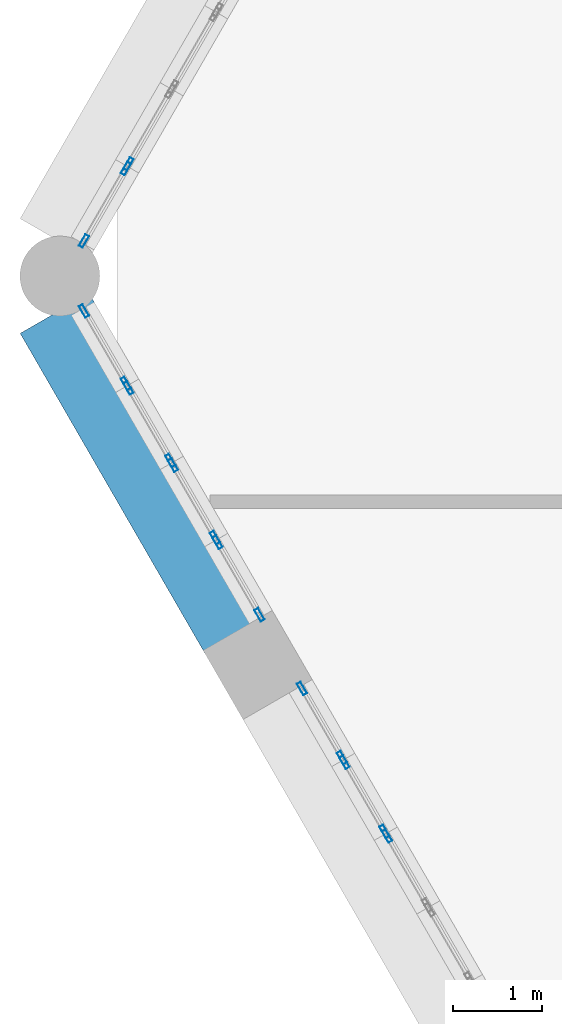
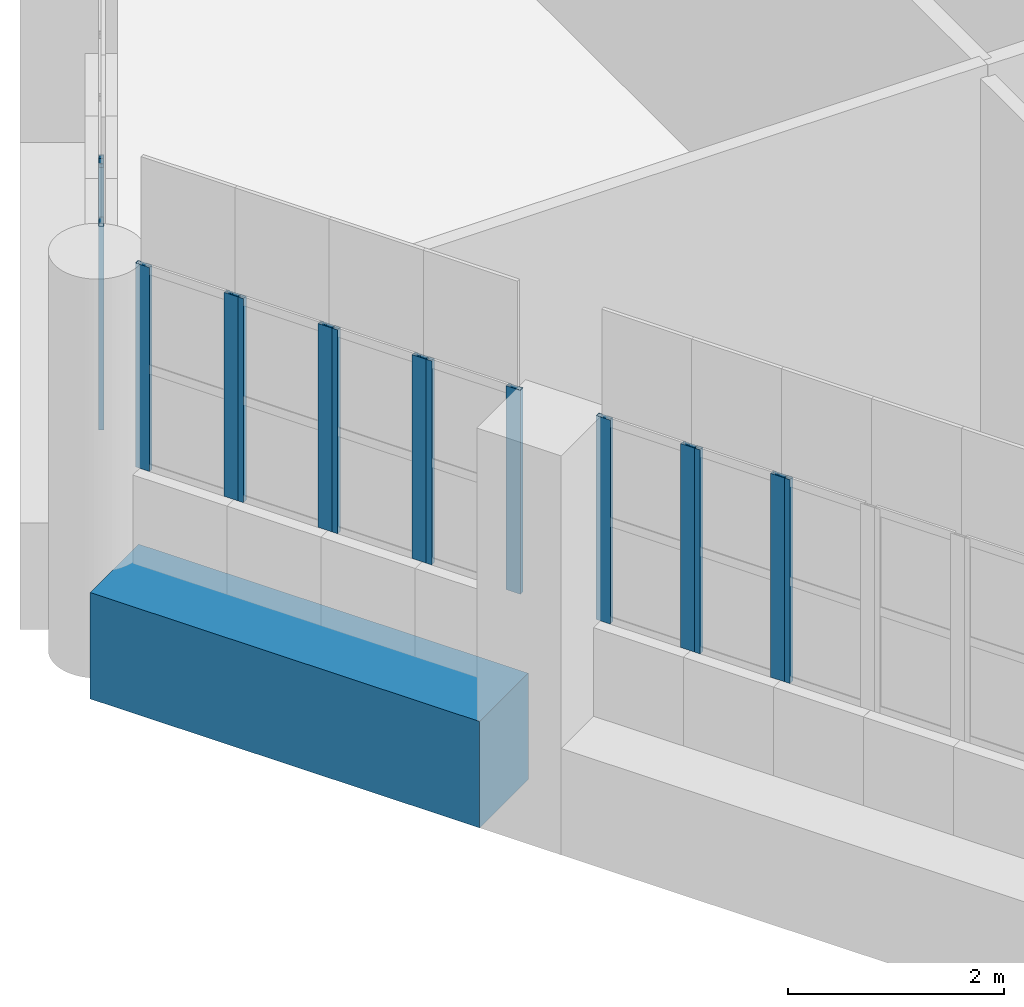
# One storey, part 4 of 25: 16 members, 1 beam, 9 elements without a shape of their own.
"""IFC4 building model written with IfcOpenShell, lengths in metres."""

import ifcopenshell
import ifcopenshell.guid

model = None  # the IFC model being written
_history = None  # IfcOwnerHistory: only IFC2X3 demands one
_inside = {}  # id of a spatial element -> (the spatial element, [elements in it])
_under = {}  # id of a project, library or spatial element -> (it, [spatial elements below it])
_declared = {}  # id of a project -> (the project, [libraries it declares])
_typed = {}  # id of a type object -> (the type object, [elements of that type])
_made_of = {}  # id of a material, layer set ... -> (it, [elements and type objects made of it])


def new_model(schema):
    """Start an empty IFC model of exactly this schema.

    Asked for "IFC4X3", IfcOpenShell would pick the latest addendum, in which some entities
    have other attributes; the version numbers below select the first issue.
    IFC2X3 requires an IfcOwnerHistory on every rooted entity: one is made here for all.
    """
    global model, _history
    if schema == "IFC4X3":
        model = ifcopenshell.file(schema_version=(4, 3, 0, 0))
    else:
        model = ifcopenshell.file(schema=schema)
    _inside.clear()
    _under.clear()
    _declared.clear()
    _typed.clear()
    _made_of.clear()
    _history = None
    if model.schema == "IFC2X3":
        org = make("IfcOrganization", Name="unknown")
        user = make(
            "IfcPersonAndOrganization",
            ThePerson=make("IfcPerson", FamilyName="unknown"),
            TheOrganization=org,
        )
        app = make(
            "IfcApplication",
            ApplicationDeveloper=org,
            Version="unknown",
            ApplicationFullName="unknown",
            ApplicationIdentifier="unknown",
        )
        _history = make(
            "IfcOwnerHistory",
            OwningUser=user,
            OwningApplication=app,
            ChangeAction="ADDED",
            CreationDate=0,
        )
    return model


def make(cls, **values):
    """One entity of the class cls with the attributes given. An attribute that is None is left unset."""
    return model.create_entity(
        cls, **{name: value for name, value in values.items() if value is not None}
    )


def rooted(cls, **values):
    """An entity with a GlobalId (a new one), such as an element, a storey or a relation."""
    return make(cls, GlobalId=ifcopenshell.guid.new(), OwnerHistory=_history, **values)


def si_unit(unit_type, name, prefix=None):
    """IfcSIUnit, for example si_unit("LENGTHUNIT", "METRE", prefix="MILLI")."""
    return make("IfcSIUnit", UnitType=unit_type, Prefix=prefix, Name=name)


def assignment(units):
    """IfcUnitAssignment: the units of a project."""
    return None if units is None else make("IfcUnitAssignment", Units=units)


def point(xyz):
    """IfcCartesianPoint."""
    return None if xyz is None else make("IfcCartesianPoint", Coordinates=xyz)


def direction(xyz):
    """IfcDirection."""
    return None if xyz is None else make("IfcDirection", DirectionRatios=xyz)


def frame(location, z_axis=None, x_axis=None):
    """IfcAxis2Placement3D, a coordinate frame: its origin and axes. An axis left out is left unset."""
    return make(
        "IfcAxis2Placement3D",
        Location=point(location),
        Axis=direction(z_axis),
        RefDirection=direction(x_axis),
    )


def frame_2d(location, x_axis=None):
    """IfcAxis2Placement2D, a coordinate frame in the plane: its origin and x axis."""
    return make(
        "IfcAxis2Placement2D", Location=point(location), RefDirection=direction(x_axis)
    )


def origin():
    """The frame at (0, 0, 0) with its axes left unset."""
    return frame((0.0, 0.0, 0.0))


def origin_2d():
    """The frame at (0, 0) in the plane with its x axis left unset."""
    return frame_2d((0.0, 0.0))


def place(relative_to, where):
    """IfcLocalPlacement: puts the frame where relative to a parent placement (None: the world)."""
    return make(
        "IfcLocalPlacement", PlacementRelTo=relative_to, RelativePlacement=where
    )


def context(
    kind, dimensions, precision=None, world=None, true_north=None, identifier=None
):
    """IfcGeometricRepresentationContext, for example the 3D "Model" context."""
    return make(
        "IfcGeometricRepresentationContext",
        ContextIdentifier=identifier,
        ContextType=kind,
        CoordinateSpaceDimension=dimensions,
        Precision=precision,
        WorldCoordinateSystem=world,
        TrueNorth=true_north,
    )


def subcontext(parent, identifier, kind, view, scale=None):
    """IfcGeometricRepresentationSubContext, for example "Body" below "Model"."""
    return make(
        "IfcGeometricRepresentationSubContext",
        ContextIdentifier=identifier,
        ContextType=kind,
        ParentContext=parent,
        TargetScale=scale,
        TargetView=view,
    )


def project(units=None, contexts=None):
    """IfcProject with its units and contexts."""
    return rooted(
        "IfcProject",
        Name="project",
        RepresentationContexts=contexts,
        UnitsInContext=assignment(units),
    )


def spatial(cls, under=None, at=None, **own):
    """A site, building, storey or space (cls), placed at a placement, below another one or the project."""
    s = rooted(cls, ObjectPlacement=at, **own)
    if under is not None:
        _under.setdefault(under.id(), (under, []))[1].append(s)
    return s


def profile(cls, at=None, kind="AREA", **sizes):
    """A parametric profile (cls). Its sizes go by their IFC names, for example OverallWidth=200.0."""
    return make(cls, ProfileType=kind, Position=at, **sizes)


def rectangle(**sizes):
    """IfcRectangleProfileDef."""
    return profile("IfcRectangleProfileDef", **sizes)


def hollow_rectangle(**sizes):
    """IfcRectangleHollowProfileDef."""
    return profile("IfcRectangleHollowProfileDef", **sizes)


def extrude(swept, where, along, depth):
    """IfcExtrudedAreaSolid: the profile swept, set in the frame where, extruded along a direction by depth."""
    return make(
        "IfcExtrudedAreaSolid",
        SweptArea=swept,
        Position=where,
        ExtrudedDirection=direction(along),
        Depth=depth,
    )


def shape(context_of_items, identifier, shape_type, items):
    """IfcShapeRepresentation: the items that make up one representation, for example the "Body"."""
    return make(
        "IfcShapeRepresentation",
        ContextOfItems=context_of_items,
        RepresentationIdentifier=identifier,
        RepresentationType=shape_type,
        Items=items,
    )


def material(Name=None, Category=None):
    """IfcMaterial."""
    return make("IfcMaterial", Name=Name, Category=Category)


def material_profile(
    of_material, cross_section, Name=None, Category=None, Priority=None
):
    """IfcMaterialProfile: a cross section and its material."""
    return make(
        "IfcMaterialProfile",
        Name=Name,
        Material=of_material,
        Profile=cross_section,
        Priority=Priority,
        Category=Category,
    )


def profile_set(profiles, Name=None, composite=None):
    """IfcMaterialProfileSet."""
    return make(
        "IfcMaterialProfileSet",
        Name=Name,
        MaterialProfiles=profiles,
        CompositeProfile=composite,
    )


def made_of(thing, what):
    """Note that an element or type object is made of a material, layer set ...; save() writes the relation."""
    if what is not None:
        _made_of.setdefault(what.id(), (what, []))[1].append(thing)
    return thing


def type_object(cls, material=None, **own):
    """A type object (cls), such as IfcWallType, which elements share."""
    return made_of(rooted(cls, **own), material)


def element(
    cls,
    number,
    at=None,
    inside=None,
    cuts=None,
    type_object=None,
    material=None,
    context=None,
    identifier="Body",
    shape_type=None,
    held_by="IfcProductDefinitionShape",
    body=None,
    shapes=None,
    **own,
):
    """One element of the class cls, such as IfcWall. Its Tag is "e" and its number.

    at: its placement. inside: the storey or other place that contains it. cuts: it is an
    opening in that element (IfcRelVoidsElement). A single representation is given by context,
    identifier, shape_type and body (its items); several are given by shapes. held_by: the class
    of the entity that holds the representations. save() writes the other relations.
    """
    e = rooted(cls, Tag="e%d" % number, ObjectPlacement=at, **own)
    if body is not None:
        shapes = [shape(context, identifier, shape_type, body)]
    if shapes is not None:
        e.Representation = make(held_by, Representations=shapes)
    if inside is not None:
        _inside.setdefault(inside.id(), (inside, []))[1].append(e)
    if cuts is not None:
        rooted(
            "IfcRelVoidsElement", RelatingBuildingElement=cuts, RelatedOpeningElement=e
        )
    if type_object is not None:
        _typed.setdefault(type_object.id(), (type_object, []))[1].append(e)
    return made_of(e, material)


def aggregate(whole, parts):
    """IfcRelAggregates: a whole, such as a stair, and the parts it consists of."""
    return rooted("IfcRelAggregates", RelatingObject=whole, RelatedObjects=parts)


def save(model, path):
    """Write the relations noted so far, then the file.

    IfcRelAggregates (storeys below a building ...), IfcRelContainedInSpatialStructure (elements
    in a storey), IfcRelDefinesByType, IfcRelAssociatesMaterial and IfcRelDeclares: one each for
    every whole, place, type object, material and project.
    """
    for whole, parts in _under.values():
        aggregate(whole, parts)
    for where, things in _inside.values():
        rooted(
            "IfcRelContainedInSpatialStructure",
            RelatedElements=things,
            RelatingStructure=where,
        )
    for kind, things in _typed.values():
        rooted("IfcRelDefinesByType", RelatedObjects=things, RelatingType=kind)
    for what, things in _made_of.values():
        rooted("IfcRelAssociatesMaterial", RelatedObjects=things, RelatingMaterial=what)
    for by, libraries in _declared.values():
        rooted("IfcRelDeclares", RelatingContext=by, RelatedDefinitions=libraries)
    model.write(path)


model = new_model("IFC4")

# Units and contexts
model_context = context("Model", 3, precision=1e-05, world=origin(), true_north=direction((0.0, 1.0)))
body_context = subcontext(model_context, "Body", "Model", "MODEL_VIEW")
ifc_project = project(units=[si_unit("LENGTHUNIT", "METRE"), si_unit("AREAUNIT", "SQUARE_METRE"), si_unit("VOLUMEUNIT", "CUBIC_METRE"), si_unit("PLANEANGLEUNIT", "RADIAN"), si_unit("MASSUNIT", "GRAM", prefix="KILO")], contexts=[model_context])

# Site, building, storey
site_placement = place(None, origin())
site = spatial("IfcSite", under=ifc_project, at=site_placement, CompositionType="ELEMENT")
building_placement = place(site_placement, origin())
building = spatial("IfcBuilding", under=site, at=building_placement, Name="Ostrander Bayou Hotel Tower", CompositionType="ELEMENT")
storey_placement = place(building_placement, frame((0.0, 0.0, 275.0)))
storey = spatial("IfcBuildingStorey", under=building, at=storey_placement, Name="L68", CompositionType="ELEMENT", Elevation=275.0)

# Curtain wall, member
ifc_material_1 = material(Name="Aluminium and clear glass", Category="aluminium")
curtain_wall_type = type_object("IfcCurtainWallType", Name="CW-CROWN glazed wall", PredefinedType="NOTDEFINED", material=ifc_material_1)
curtain_wall_1_placement = place(storey_placement, origin())
curtain_wall_1 = element("IfcCurtainWall", 1, at=curtain_wall_1_placement, inside=storey, type_object=curtain_wall_type, Name="CW-CROWN L68:NW-3-5", PredefinedType="NOTDEFINED")
ifc_material_2 = material(Name="Aluminium", Category="aluminium")
ifc_material_profile_1 = material_profile(ifc_material_2, hollow_rectangle(XDim=0.050048828125, YDim=0.14990234375, WallThickness=0.00390625, at=origin_2d()))
ifc_profile_set_1 = profile_set([ifc_material_profile_1], Name="Aluminium")
member_type = type_object("IfcMemberType", Name="CW-CR mullion 50 x 150 mm", PredefinedType="MULLION", material=ifc_profile_set_1)
member_1_placement = place(storey_placement, frame((-17.713623046875, 0.106201171875, 1.0), z_axis=(0.0, 0.0, 1.0), x_axis=(0.866044474681, -0.499966966783, 0.0)))
member_1 = element("IfcMember", 2, at=member_1_placement, type_object=member_type, Name="CW-CROWN mullion 2", PredefinedType="MULLION", context=body_context, shape_type="SweptSolid", body=[
    extrude(hollow_rectangle(XDim=0.050048828125, YDim=0.14990234375, WallThickness=0.00390625, at=origin_2d()), origin(), (0.0, 0.0, 1.0), 2.300048828125),
])
aggregate(curtain_wall_1, [member_1])

# Curtain wall, members
curtain_wall_2_placement = place(storey_placement, origin())
curtain_wall_2 = element("IfcCurtainWall", 3, at=curtain_wall_2_placement, inside=storey, type_object=curtain_wall_type, Name="CW-CROWN L68:NW-3-6", PredefinedType="NOTDEFINED")
member_2_placement = place(storey_placement, frame((-17.743408203125, 0.05419921875, 1.0), z_axis=(0.0, 0.0, 1.0), x_axis=(0.865976376875, -0.500084907485, 0.0)))
member_2 = element("IfcMember", 4, at=member_2_placement, type_object=member_type, Name="CW-CROWN mullion 1", PredefinedType="MULLION", context=body_context, shape_type="SweptSolid", body=[
    extrude(hollow_rectangle(XDim=0.050048828125, YDim=0.14990234375, WallThickness=0.00390625, at=origin_2d()), origin(), (0.0, 0.0, 1.0), 2.300048828125),
])
member_3_placement = place(storey_placement, frame((-18.215087890625, -0.76220703125, 1.0), z_axis=(0.0, 0.0, 1.0), x_axis=(0.865976376875, -0.500084907485, 0.0)))
member_3 = element("IfcMember", 5, at=member_3_placement, type_object=member_type, Name="CW-CROWN mullion 2", PredefinedType="MULLION", context=body_context, shape_type="SweptSolid", body=[
    extrude(hollow_rectangle(XDim=0.050048828125, YDim=0.14990234375, WallThickness=0.00390625, at=origin_2d()), origin(), (0.0, 0.0, 1.0), 2.300048828125),
])
aggregate(curtain_wall_2, [member_2, member_3])

curtain_wall_3_placement = place(storey_placement, origin())
curtain_wall_3 = element("IfcCurtainWall", 6, at=curtain_wall_3_placement, inside=storey, type_object=curtain_wall_type, Name="CW-CROWN L68:SW-1-1", PredefinedType="NOTDEFINED")
member_4_placement = place(storey_placement, frame((-18.215087890625, -1.550537109375, 1.0), z_axis=(0.0, 0.0, 1.0), x_axis=(0.866046247237, 0.499963896343, 0.0)))
member_4 = element("IfcMember", 7, at=member_4_placement, type_object=member_type, Name="CW-CROWN mullion 1", PredefinedType="MULLION", context=body_context, shape_type="SweptSolid", body=[
    extrude(hollow_rectangle(XDim=0.050048828125, YDim=0.14990234375, WallThickness=0.00390625, at=origin_2d()), origin(), (0.0, 0.0, 1.0), 2.300048828125),
])
member_5_placement = place(storey_placement, frame((-17.7431640625, -2.367919921875, 1.0), z_axis=(0.0, 0.0, 1.0), x_axis=(0.866046247237, 0.499963896343, 0.0)))
member_5 = element("IfcMember", 8, at=member_5_placement, type_object=member_type, Name="CW-CROWN mullion 2", PredefinedType="MULLION", context=body_context, shape_type="SweptSolid", body=[
    extrude(hollow_rectangle(XDim=0.050048828125, YDim=0.14990234375, WallThickness=0.00390625, at=origin_2d()), origin(), (0.0, 0.0, 1.0), 2.300048828125),
])
aggregate(curtain_wall_3, [member_4, member_5])

curtain_wall_4_placement = place(storey_placement, origin())
curtain_wall_4 = element("IfcCurtainWall", 9, at=curtain_wall_4_placement, inside=storey, type_object=curtain_wall_type, Name="CW-CROWN L68:SW-1-2", PredefinedType="NOTDEFINED")
member_6_placement = place(storey_placement, frame((-17.713134765625, -2.419921875, 1.0), z_axis=(0.0, 0.0, 1.0), x_axis=(0.866021344042, 0.500007031615, 0.0)))
member_6 = element("IfcMember", 10, at=member_6_placement, type_object=member_type, Name="CW-CROWN mullion 1", PredefinedType="MULLION", context=body_context, shape_type="SweptSolid", body=[
    extrude(hollow_rectangle(XDim=0.050048828125, YDim=0.14990234375, WallThickness=0.00390625, at=origin_2d()), origin(), (0.0, 0.0, 1.0), 2.300048828125),
])
member_7_placement = place(storey_placement, frame((-17.2412109375, -3.2373046875, 1.0), z_axis=(0.0, 0.0, 1.0), x_axis=(0.866021344042, 0.500007031615, 0.0)))
member_7 = element("IfcMember", 11, at=member_7_placement, type_object=member_type, Name="CW-CROWN mullion 2", PredefinedType="MULLION", context=body_context, shape_type="SweptSolid", body=[
    extrude(hollow_rectangle(XDim=0.050048828125, YDim=0.14990234375, WallThickness=0.00390625, at=origin_2d()), origin(), (0.0, 0.0, 1.0), 2.300048828125),
])
aggregate(curtain_wall_4, [member_6, member_7])

curtain_wall_5_placement = place(storey_placement, origin())
curtain_wall_5 = element("IfcCurtainWall", 12, at=curtain_wall_5_placement, inside=storey, type_object=curtain_wall_type, Name="CW-CROWN L68:SW-1-3", PredefinedType="NOTDEFINED")
member_8_placement = place(storey_placement, frame((-17.211181640625, -3.289306640625, 1.0), z_axis=(0.0, 0.0, 1.0), x_axis=(0.866046247237, 0.499963896343, 0.0)))
member_8 = element("IfcMember", 13, at=member_8_placement, type_object=member_type, Name="CW-CROWN mullion 1", PredefinedType="MULLION", context=body_context, shape_type="SweptSolid", body=[
    extrude(hollow_rectangle(XDim=0.050048828125, YDim=0.14990234375, WallThickness=0.00390625, at=origin_2d()), origin(), (0.0, 0.0, 1.0), 2.300048828125),
])
member_9_placement = place(storey_placement, frame((-16.7392578125, -4.106689453125, 1.0), z_axis=(0.0, 0.0, 1.0), x_axis=(0.866046247237, 0.499963896343, 0.0)))
member_9 = element("IfcMember", 14, at=member_9_placement, type_object=member_type, Name="CW-CROWN mullion 2", PredefinedType="MULLION", context=body_context, shape_type="SweptSolid", body=[
    extrude(hollow_rectangle(XDim=0.050048828125, YDim=0.14990234375, WallThickness=0.00390625, at=origin_2d()), origin(), (0.0, 0.0, 1.0), 2.300048828125),
])
aggregate(curtain_wall_5, [member_8, member_9])

curtain_wall_6_placement = place(storey_placement, origin())
curtain_wall_6 = element("IfcCurtainWall", 15, at=curtain_wall_6_placement, inside=storey, type_object=curtain_wall_type, Name="CW-CROWN L68:SW-1-4", PredefinedType="NOTDEFINED")
member_10_placement = place(storey_placement, frame((-16.709228515625, -4.15869140625, 1.0), z_axis=(0.0, 0.0, 1.0), x_axis=(0.866021344042, 0.500007031615, 0.0)))
member_10 = element("IfcMember", 16, at=member_10_placement, type_object=member_type, Name="CW-CROWN mullion 1", PredefinedType="MULLION", context=body_context, shape_type="SweptSolid", body=[
    extrude(hollow_rectangle(XDim=0.050048828125, YDim=0.14990234375, WallThickness=0.00390625, at=origin_2d()), origin(), (0.0, 0.0, 1.0), 2.300048828125),
])
member_11_placement = place(storey_placement, frame((-16.2373046875, -4.97607421875, 1.0), z_axis=(0.0, 0.0, 1.0), x_axis=(0.866021344042, 0.500007031615, 0.0)))
member_11 = element("IfcMember", 17, at=member_11_placement, type_object=member_type, Name="CW-CROWN mullion 2", PredefinedType="MULLION", context=body_context, shape_type="SweptSolid", body=[
    extrude(hollow_rectangle(XDim=0.050048828125, YDim=0.14990234375, WallThickness=0.00390625, at=origin_2d()), origin(), (0.0, 0.0, 1.0), 2.300048828125),
])
aggregate(curtain_wall_6, [member_10, member_11])

curtain_wall_7_placement = place(storey_placement, origin())
curtain_wall_7 = element("IfcCurtainWall", 18, at=curtain_wall_7_placement, inside=storey, type_object=curtain_wall_type, Name="CW-CROWN L68:SW-2-1", PredefinedType="NOTDEFINED")
member_12_placement = place(storey_placement, frame((-15.75732421875, -5.807373046875, 1.0), z_axis=(0.0, 0.0, 1.0), x_axis=(0.866022491007, 0.500005045044, 0.0)))
member_12 = element("IfcMember", 19, at=member_12_placement, type_object=member_type, Name="CW-CROWN mullion 1", PredefinedType="MULLION", context=body_context, shape_type="SweptSolid", body=[
    extrude(hollow_rectangle(XDim=0.050048828125, YDim=0.14990234375, WallThickness=0.00390625, at=origin_2d()), origin(), (0.0, 0.0, 1.0), 2.300048828125),
])
member_13_placement = place(storey_placement, frame((-15.3076171875, -6.586669921875, 1.0), z_axis=(0.0, 0.0, 1.0), x_axis=(0.866022491007, 0.500005045044, 0.0)))
member_13 = element("IfcMember", 20, at=member_13_placement, type_object=member_type, Name="CW-CROWN mullion 2", PredefinedType="MULLION", context=body_context, shape_type="SweptSolid", body=[
    extrude(hollow_rectangle(XDim=0.050048828125, YDim=0.14990234375, WallThickness=0.00390625, at=origin_2d()), origin(), (0.0, 0.0, 1.0), 2.300048828125),
])
aggregate(curtain_wall_7, [member_12, member_13])

curtain_wall_8_placement = place(storey_placement, origin())
curtain_wall_8 = element("IfcCurtainWall", 21, at=curtain_wall_8_placement, inside=storey, type_object=curtain_wall_type, Name="CW-CROWN L68:SW-2-2", PredefinedType="NOTDEFINED")
member_14_placement = place(storey_placement, frame((-15.277587890625, -6.638671875, 1.0), z_axis=(0.0, 0.0, 1.0), x_axis=(0.866022491007, 0.500005045044, 0.0)))
member_14 = element("IfcMember", 22, at=member_14_placement, type_object=member_type, Name="CW-CROWN mullion 1", PredefinedType="MULLION", context=body_context, shape_type="SweptSolid", body=[
    extrude(hollow_rectangle(XDim=0.050048828125, YDim=0.14990234375, WallThickness=0.00390625, at=origin_2d()), origin(), (0.0, 0.0, 1.0), 2.300048828125),
])
member_15_placement = place(storey_placement, frame((-14.82763671875, -7.417724609375, 1.0), z_axis=(0.0, 0.0, 1.0), x_axis=(0.866022491007, 0.500005045044, 0.0)))
member_15 = element("IfcMember", 23, at=member_15_placement, type_object=member_type, Name="CW-CROWN mullion 2", PredefinedType="MULLION", context=body_context, shape_type="SweptSolid", body=[
    extrude(hollow_rectangle(XDim=0.050048828125, YDim=0.14990234375, WallThickness=0.00390625, at=origin_2d()), origin(), (0.0, 0.0, 1.0), 2.300048828125),
])
aggregate(curtain_wall_8, [member_14, member_15])

# Curtain wall, member
curtain_wall_9_placement = place(storey_placement, origin())
curtain_wall_9 = element("IfcCurtainWall", 24, at=curtain_wall_9_placement, inside=storey, type_object=curtain_wall_type, Name="CW-CROWN L68:SW-2-3", PredefinedType="NOTDEFINED")
member_16_placement = place(storey_placement, frame((-14.797607421875, -7.4697265625, 1.0), z_axis=(0.0, 0.0, 1.0), x_axis=(0.866022491007, 0.500005045044, 0.0)))
member_16 = element("IfcMember", 25, at=member_16_placement, type_object=member_type, Name="CW-CROWN mullion 1", PredefinedType="MULLION", context=body_context, shape_type="SweptSolid", body=[
    extrude(hollow_rectangle(XDim=0.050048828125, YDim=0.14990234375, WallThickness=0.00390625, at=origin_2d()), origin(), (0.0, 0.0, 1.0), 2.300048828125),
])
aggregate(curtain_wall_9, [member_16])

# Beam
ifc_material_3 = material(Name="Concrete f'c 60 MPa", Category="concrete")
ifc_material_profile_2 = material_profile(ifc_material_3, rectangle(XDim=0.89990234375, YDim=1.199951171875, at=origin_2d()))
ifc_profile_set_2 = profile_set([ifc_material_profile_2], Name="Concrete f'c 60 MPa")
beam_type = type_object("IfcBeamType", Name="SP4 spandrel beam 900 x 1200 mm f'c 60 MPa", PredefinedType="SPANDREL", material=ifc_profile_set_2)
beam_placement = place(storey_placement, frame((-18.54541015625, -1.578369140625, -0.60009765625), z_axis=(0.499980071345, -0.866036909293, 0.0), x_axis=(0.866036909293, 0.499980071345, 0.0)))
element("IfcBeam", 26, at=beam_placement, inside=storey, type_object=beam_type, Name="SP4 L68 SW-1", PredefinedType="SPANDREL", context=body_context, shape_type="SweptSolid", body=[
    extrude(rectangle(XDim=0.89990234375, YDim=1.199951171875, at=origin_2d()), origin(), (0.0, 0.0, 1.0), 4.156494140625),
])

save(model, "model.ifc")
